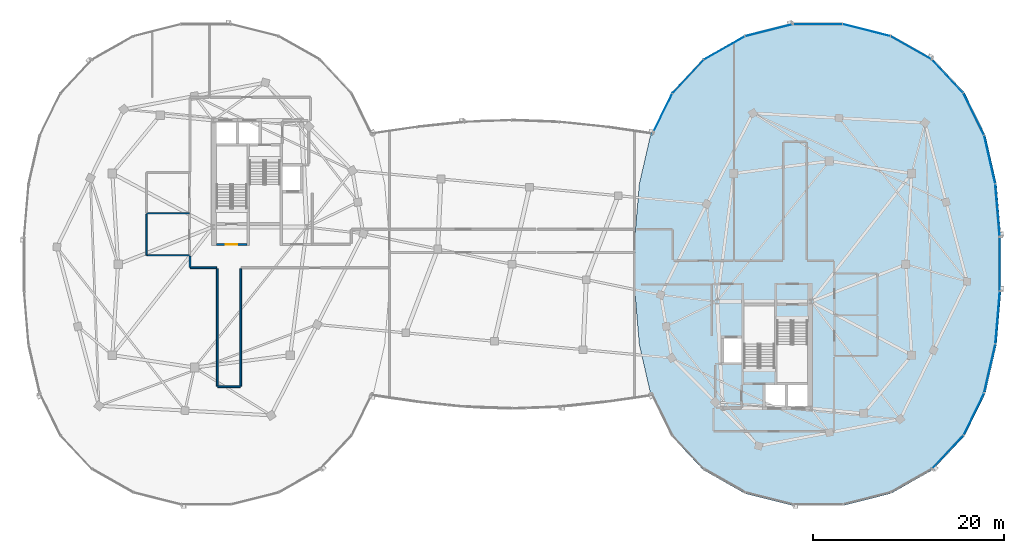
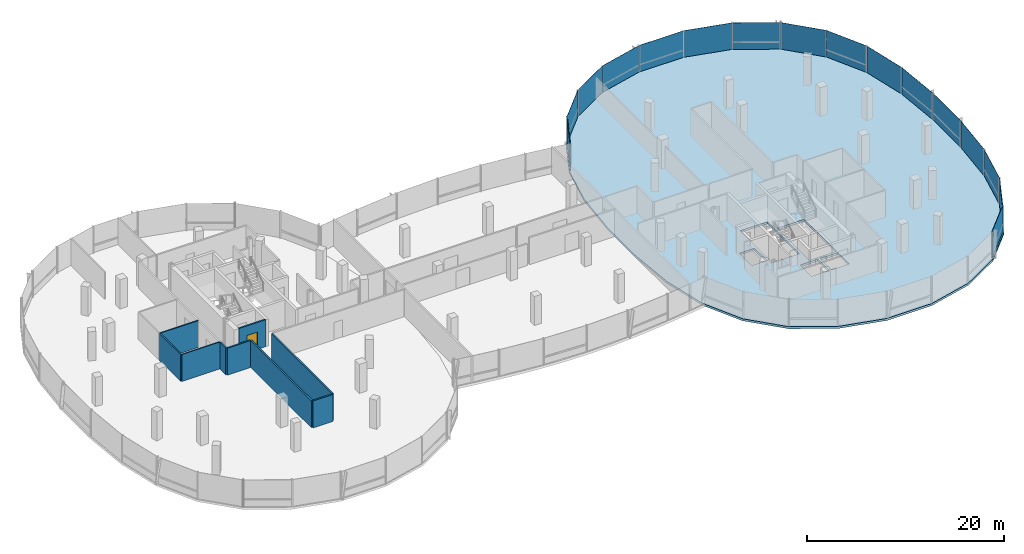
# One storey, part 13 of 24: 16 plates, 9 walls, 1 door, 1 slab, 1 opening, 3 elements without a shape of their own.
"""IFC4 building model written with IfcOpenShell, lengths in metres."""

from ifc_helpers import new_model, si_unit, direction, frame, frame_2d, origin, origin_2d, place, context, subcontext, project, spatial, polyline, rectangle, outline, extrude, material, layer, layer_set, type_object, element, fill, aggregate, save


model = new_model("IFC4")

# Units and contexts
model_context = context("Model", 3, precision=1e-05, world=origin(), true_north=direction((0.0, 1.0)))
body_context = subcontext(model_context, "Body", "Model", "MODEL_VIEW")
ifc_project = project(units=[si_unit("LENGTHUNIT", "METRE"), si_unit("AREAUNIT", "SQUARE_METRE"), si_unit("VOLUMEUNIT", "CUBIC_METRE"), si_unit("PLANEANGLEUNIT", "RADIAN"), si_unit("MASSUNIT", "GRAM", prefix="KILO"), si_unit("THERMODYNAMICTEMPERATUREUNIT", "KELVIN"), si_unit("POWERUNIT", "WATT")], contexts=[model_context])

# Site, building, storey
site_placement = place(None, origin())
site = spatial("IfcSite", under=ifc_project, at=site_placement, CompositionType="ELEMENT")
building_placement = place(site_placement, origin())
building = spatial("IfcBuilding", under=site, at=building_placement, Name="Cundina Bronze Exchange", CompositionType="ELEMENT")
storey_placement = place(building_placement, frame((0.0, 0.0, 268.39990234375)))
storey = spatial("IfcBuildingStorey", under=building, at=storey_placement, Name="L71", CompositionType="ELEMENT", Elevation=268.39990234375)

# Curtain wall, plates
ifc_material_1 = material(Name="Anodised Bronze Aluminium 6063-T6", Category="aluminium")
curtain_wall_type = type_object("IfcCurtainWallType", Name="CWS-SKG-BRG", PredefinedType="NOTDEFINED", material=ifc_material_1)
curtain_wall_1_placement = place(storey_placement, origin())
curtain_wall_1 = element("IfcCurtainWall", 1, at=curtain_wall_1_placement, inside=storey, type_object=curtain_wall_type, Name="L71 CW-06 Curtain Wall Run CWR-L71-E1", PredefinedType="NOTDEFINED")
ifc_material_2 = material(Name="Heat-Strengthened Solar-Control Bronze Safety Glass 28mm", Category="glass")
ifc_layer_1 = layer(ifc_material_2, 0.028076171875, Name="Heat-Strengthened Solar-Control Bronze Safety Glass 28mm", Category="glass")
ifc_layer_set_1 = layer_set([ifc_layer_1], Name="Heat-Strengthened Solar-Control Bronze Safety Glass 28mm")
plate_type_1 = type_object("IfcPlateType", Name="PLT-GLZ-VIS28", PredefinedType="CURTAIN_PANEL", material=ifc_layer_set_1)
plate_1_placement = place(storey_placement, frame((50.78662109375, 5.605712890625, 0.02001953125), z_axis=(0.0, 0.0, 1.0), x_axis=(-0.083747411454, 0.996487015006, 0.0)))
plate_1 = element("IfcPlate", 2, at=plate_1_placement, type_object=plate_type_1, Name="CW-06 Glazed Panel 1", PredefinedType="CURTAIN_PANEL", context=body_context, shape_type="SweptSolid", body=[
    extrude(rectangle(XDim=5.474609375, YDim=0.028076171875, at=origin_2d()), origin(), (0.0, 0.0, 1.0), 3.300048828125),
])
plate_2_placement = place(storey_placement, frame((49.96923828125, 10.922607421875, 0.02001953125), z_axis=(0.0, 0.0, 1.0), x_axis=(-0.223284141459, 0.974753400698, 0.0)))
plate_2 = element("IfcPlate", 3, at=plate_2_placement, type_object=plate_type_1, Name="CW-06 Glazed Panel 2", PredefinedType="CURTAIN_PANEL", context=body_context, shape_type="SweptSolid", body=[
    extrude(rectangle(XDim=5.167724609375, YDim=0.028076171875, at=origin_2d()), origin(), (0.0, 0.0, 1.0), 3.300048828125),
])
plate_3_placement = place(storey_placement, frame((48.30126953125, 15.68017578125, 0.02001953125), z_axis=(0.0, 0.0, 1.0), x_axis=(-0.440503330345, 0.897750976582, 0.0)))
plate_3 = element("IfcPlate", 4, at=plate_3_placement, type_object=plate_type_1, Name="CW-06 Glazed Panel 3", PredefinedType="CURTAIN_PANEL", context=body_context, shape_type="SweptSolid", body=[
    extrude(rectangle(XDim=4.863525390625, YDim=0.028076171875, at=origin_2d()), origin(), (0.0, 0.0, 1.0), 3.300048828125),
])
plate_4_placement = place(storey_placement, frame((41.76171875, 22.6279296875, 0.02001953125), z_axis=(0.0, 0.0, 1.0), x_axis=(-0.869572506985, 0.493805280547, 0.0)))
plate_4 = element("IfcPlate", 5, at=plate_4_placement, type_object=plate_type_1, Name="CW-06 Glazed Panel 5", PredefinedType="CURTAIN_PANEL", context=body_context, shape_type="SweptSolid", body=[
    extrude(rectangle(XDim=4.907958984375, YDim=0.028076171875, at=origin_2d()), origin(), (0.0, 0.0, 1.0), 3.300048828125),
])
plate_5_placement = place(storey_placement, frame((37.109375, 24.4814453125, 0.02001953125), z_axis=(0.0, 0.0, 1.0), x_axis=(-0.969731542251, 0.244173577528, 0.0)))
plate_5 = element("IfcPlate", 6, at=plate_5_placement, type_object=plate_type_1, Name="CW-06 Glazed Panel 6", PredefinedType="CURTAIN_PANEL", context=body_context, shape_type="SweptSolid", body=[
    extrude(rectangle(XDim=5.0908203125, YDim=0.028076171875, at=origin_2d()), origin(), (0.0, 0.0, 1.0), 3.300048828125),
])
plate_6_placement = place(storey_placement, frame((32.0, 25.110107421875, 0.02001953125), z_axis=(0.0, 0.0, 1.0), x_axis=(-1.0, 0.0, 0.0)))
plate_6 = element("IfcPlate", 7, at=plate_6_placement, type_object=plate_type_1, Name="CW-06 Glazed Panel 7", PredefinedType="CURTAIN_PANEL", context=body_context, shape_type="SweptSolid", body=[
    extrude(rectangle(XDim=5.16796875, YDim=0.028076171875, at=origin_2d()), origin(), (0.0, 0.0, 1.0), 3.300048828125),
])

curtain_wall_2_placement = place(storey_placement, origin())
curtain_wall_2 = element("IfcCurtainWall", 8, at=curtain_wall_2_placement, inside=storey, type_object=curtain_wall_type, Name="L71 CW-06 Curtain Wall Run CWR-L71-E2", PredefinedType="NOTDEFINED")
plate_7_placement = place(storey_placement, frame((26.890625, 24.4814453125, 0.02001953125), z_axis=(0.0, 0.0, 1.0), x_axis=(-0.969731542251, -0.244173577528, 0.0)))
plate_7 = element("IfcPlate", 9, at=plate_7_placement, type_object=plate_type_1, Name="CW-06 Glazed Panel 1", PredefinedType="CURTAIN_PANEL", context=body_context, shape_type="SweptSolid", body=[
    extrude(rectangle(XDim=5.0908203125, YDim=0.028076171875, at=origin_2d()), origin(), (0.0, 0.0, 1.0), 3.300048828125),
])
plate_8_placement = place(storey_placement, frame((22.23828125, 22.6279296875, 0.02001953125), z_axis=(0.0, 0.0, 1.0), x_axis=(-0.869572506985, -0.493805280547, 0.0)))
plate_8 = element("IfcPlate", 10, at=plate_8_placement, type_object=plate_type_1, Name="CW-06 Glazed Panel 2", PredefinedType="CURTAIN_PANEL", context=body_context, shape_type="SweptSolid", body=[
    extrude(rectangle(XDim=4.907958984375, YDim=0.028076171875, at=origin_2d()), origin(), (0.0, 0.0, 1.0), 3.300048828125),
])
plate_9_placement = place(storey_placement, frame((15.69873046875, 15.68017578125, 0.02001953125), z_axis=(0.0, 0.0, 1.0), x_axis=(-0.440503330345, -0.897750976582, 0.0)))
plate_9 = element("IfcPlate", 11, at=plate_9_placement, type_object=plate_type_1, Name="CW-06 Glazed Panel 4", PredefinedType="CURTAIN_PANEL", context=body_context, shape_type="SweptSolid", body=[
    extrude(rectangle(XDim=4.863525390625, YDim=0.028076171875, at=origin_2d()), origin(), (0.0, 0.0, 1.0), 3.300048828125),
])

curtain_wall_3_placement = place(storey_placement, origin())
curtain_wall_3 = element("IfcCurtainWall", 12, at=curtain_wall_3_placement, inside=storey, type_object=curtain_wall_type, Name="L71 CW-06 Curtain Wall Run CWR-L71-E4", PredefinedType="NOTDEFINED")
plate_10_placement = place(storey_placement, frame((48.30126953125, -15.68017578125, 0.02001953125), z_axis=(0.0, 0.0, 1.0), x_axis=(0.440503330345, 0.897750976582, 0.0)))
plate_10 = element("IfcPlate", 13, at=plate_10_placement, type_object=plate_type_1, Name="CW-06 Glazed Panel 2", PredefinedType="CURTAIN_PANEL", context=body_context, shape_type="SweptSolid", body=[
    extrude(rectangle(XDim=4.863525390625, YDim=0.028076171875, at=origin_2d()), origin(), (0.0, 0.0, 1.0), 3.300048828125),
])
plate_11_placement = place(storey_placement, frame((49.96923828125, -10.922607421875, 0.02001953125), z_axis=(0.0, 0.0, 1.0), x_axis=(0.223284141459, 0.974753400698, 0.0)))
plate_11 = element("IfcPlate", 14, at=plate_11_placement, type_object=plate_type_1, Name="CW-06 Glazed Panel 3", PredefinedType="CURTAIN_PANEL", context=body_context, shape_type="SweptSolid", body=[
    extrude(rectangle(XDim=5.167724609375, YDim=0.028076171875, at=origin_2d()), origin(), (0.0, 0.0, 1.0), 3.300048828125),
])
plate_12_placement = place(storey_placement, frame((50.78662109375, -5.605712890625, 0.02001953125), z_axis=(0.0, 0.0, 1.0), x_axis=(0.083747411454, 0.996487015006, 0.0)))
plate_12 = element("IfcPlate", 15, at=plate_12_placement, type_object=plate_type_1, Name="CW-06 Glazed Panel 4", PredefinedType="CURTAIN_PANEL", context=body_context, shape_type="SweptSolid", body=[
    extrude(rectangle(XDim=5.474609375, YDim=0.028076171875, at=origin_2d()), origin(), (0.0, 0.0, 1.0), 3.300048828125),
])
plate_13_placement = place(storey_placement, frame((51.01904296875, 0.0, 0.02001953125), z_axis=(0.0, 0.0, 1.0), x_axis=(0.0, 1.0, 0.0)))
plate_13 = element("IfcPlate", 16, at=plate_13_placement, type_object=plate_type_1, Name="CW-06 Glazed Panel 5", PredefinedType="CURTAIN_PANEL", context=body_context, shape_type="SweptSolid", body=[
    extrude(rectangle(XDim=5.597900390625, YDim=0.028076171875, at=origin_2d()), origin(), (0.0, 0.0, 1.0), 3.300048828125),
])

# Plate
ifc_material_3 = material(Name="Dark Bronze Spandrel Glass Panel 32mm", Category="glass")
ifc_layer_2 = layer(ifc_material_3, 0.031982421875, Name="Dark Bronze Spandrel Glass Panel 32mm", Category="glass")
ifc_layer_set_2 = layer_set([ifc_layer_2], Name="Dark Bronze Spandrel Glass Panel 32mm")
plate_type_2 = type_object("IfcPlateType", Name="PLT-SPN-BRZ32", PredefinedType="CURTAIN_PANEL", material=ifc_layer_set_2)
plate_14_placement = place(storey_placement, frame((45.568115234375, 19.64501953125, 0.02001953125), z_axis=(0.0, 0.0, 1.0), x_axis=(-0.684343512797, 0.72915976061, 0.0)))
plate_14 = element("IfcPlate", 17, at=plate_14_placement, type_object=plate_type_2, Name="CW-06 Glazed Panel 4", PredefinedType="CURTAIN_PANEL", context=body_context, shape_type="SweptSolid", body=[
    extrude(rectangle(XDim=4.773193359375, YDim=0.031982421875, at=origin_2d()), origin(), (0.0, 0.0, 1.0), 3.300048828125),
])

aggregate(curtain_wall_1, [plate_1, plate_2, plate_3, plate_14, plate_4, plate_5, plate_6])

plate_15_placement = place(storey_placement, frame((18.431884765625, 19.64501953125, 0.02001953125), z_axis=(0.0, 0.0, 1.0), x_axis=(-0.684343512797, -0.72915976061, 0.0)))
plate_15 = element("IfcPlate", 18, at=plate_15_placement, type_object=plate_type_2, Name="CW-06 Glazed Panel 3", PredefinedType="CURTAIN_PANEL", context=body_context, shape_type="SweptSolid", body=[
    extrude(rectangle(XDim=4.773193359375, YDim=0.031982421875, at=origin_2d()), origin(), (0.0, 0.0, 1.0), 3.300048828125),
])

aggregate(curtain_wall_2, [plate_7, plate_8, plate_15, plate_9])

plate_16_placement = place(storey_placement, frame((45.568115234375, -19.64501953125, 0.02001953125), z_axis=(0.0, 0.0, 1.0), x_axis=(0.684343512797, 0.72915976061, 0.0)))
plate_16 = element("IfcPlate", 19, at=plate_16_placement, type_object=plate_type_2, Name="CW-06 Glazed Panel 1", PredefinedType="CURTAIN_PANEL", context=body_context, shape_type="SweptSolid", body=[
    extrude(rectangle(XDim=4.773193359375, YDim=0.031982421875, at=origin_2d()), origin(), (0.0, 0.0, 1.0), 3.300048828125),
])

aggregate(curtain_wall_3, [plate_16, plate_10, plate_11, plate_12, plate_13])

# Slab
ifc_material_4 = material(Name="Concrete C50/60", Category="concrete")
ifc_layer_3 = layer(ifc_material_4, 0.260009765625, Name="Concrete C50/60", Category="concrete")
ifc_layer_set_3 = layer_set([ifc_layer_3], Name="Concrete C50/60")
slab_type = type_object("IfcSlabType", Name="SLB-OFF-260", PredefinedType="FLOOR", material=ifc_layer_set_3)
slab_placement = place(storey_placement, frame((0.0, 0.0, -0.260009765625)))
element("IfcSlab", 20, at=slab_placement, inside=storey, type_object=slab_type, Name="L71 Leg E Structural Floor Slab", PredefinedType="FLOOR", context=body_context, shape_type="SweptSolid", body=[
    extrude(outline(polyline([(51.14892578125, 2.843994140625), (50.68310546875, 8.388916015625), (49.509033203125, 13.513916015625), (47.326904296875, 17.9609375), (43.9990234375, 21.507080078125), (39.653076171875, 23.97509765625), (34.62890625, 25.239990234375), (29.37109375, 25.239990234375), (24.346923828125, 23.97509765625), (20.0009765625, 21.507080078125), (16.673095703125, 17.9609375), (14.490966796875, 13.513916015625), (13.31689453125, 8.388916015625), (12.85107421875, 2.843994140625), (12.85107421875, -2.843994140625), (13.31689453125, -8.388916015625), (14.490966796875, -13.513916015625), (16.673095703125, -17.9609375), (20.0009765625, -21.507080078125), (24.346923828125, -23.97509765625), (29.37109375, -25.239990234375), (34.62890625, -25.239990234375), (39.653076171875, -23.97509765625), (43.9990234375, -21.507080078125), (47.326904296875, -17.9609375), (49.509033203125, -13.513916015625), (50.68310546875, -8.388916015625), (51.14892578125, -2.843994140625), (51.14892578125, 2.843994140625)]), holes=[polyline([(27.739990234375, -5.85009765625), (27.739990234375, -12.35009765625), (30.89990234375, -12.35009765625), (30.89990234375, -5.85009765625), (27.739990234375, -5.85009765625)]), polyline([(27.43994140625, -10.85009765625), (27.43994140625, -4.35009765625), (24.280029296875, -4.35009765625), (24.280029296875, -10.85009765625), (27.43994140625, -10.85009765625)]), polyline([(22.179931640625, -7.75), (23.97998046875, -7.75), (23.97998046875, -10.25), (22.179931640625, -10.25), (22.179931640625, -7.75)]), polyline([(28.85009765625, -12.64990234375), (30.89990234375, -12.64990234375), (30.89990234375, -14.949951171875), (28.85009765625, -14.949951171875), (28.85009765625, -12.64990234375)]), polyline([(26.5, -12.64990234375), (28.550048828125, -12.64990234375), (28.550048828125, -14.949951171875), (26.5, -14.949951171875), (26.5, -12.64990234375)])]), origin(), (0.0, 0.0, 1.0), 0.260009765625),
])

# Wall, opening, door
ifc_material_5 = material(Name="Gypsum Fireboard Partition EI120")
ifc_layer_4 = layer(ifc_material_5, 0.179931640625, Name="Gypsum Fireboard Partition EI120")
ifc_layer_set_4 = layer_set([ifc_layer_4], Name="Gypsum Fireboard Partition EI120")
wall_type_1 = type_object("IfcWallType", Name="WL-COR-180", PredefinedType="PARTITIONING", material=ifc_layer_set_4)
wall_1_placement = place(storey_placement, frame((-30.89990234375, 2.06005859375, 0.0), z_axis=(0.0, 0.0, 1.0), x_axis=(1.0, 0.0, 0.0)))
wall_1 = element("IfcWall", 21, at=wall_1_placement, inside=storey, type_object=wall_type_1, Name="L71 W Stair Vestibule Exit Wall", PredefinedType="PARTITIONING", context=body_context, shape_type="SweptSolid", body=[
    extrude(rectangle(XDim=3.159912109375, YDim=0.179931640625, at=frame_2d((1.580078125, 0.0))), origin(), (0.0, 0.0, 1.0), 3.340087890625),
])
opening_placement = place(wall_1_placement, frame((0.97998046875, 0.0, 0.0)))
opening = element("IfcOpeningElement", 22, at=opening_placement, cuts=wall_1, Name="Opening DF-01", PredefinedType="OPENING", context=body_context, shape_type="SweptSolid", body=[
    extrude(rectangle(XDim=1.199951171875, YDim=2.14990234375, at=frame_2d((0.60009765625, 1.074951171875))), frame((0.0, 0.099853515625, 0.0), z_axis=(0.0, -1.0, 0.0), x_axis=(1.0, 0.0, 0.0)), (0.0, 0.0, 1.0), 0.199951171875),
])
ifc_material_6 = material(Name="Steel ASTM A36 Painted", Category="steel")
door_type = type_object("IfcDoorType", Name="DR-FFL-1200", OperationType="NOTDEFINED", PredefinedType="DOOR", material=ifc_material_6)
door_placement = place(opening_placement, origin())
door = element("IfcDoor", 23, at=door_placement, inside=storey, type_object=door_type, Name="L71 W Stair Vestibule Door", OperationType="SINGLE_SWING_LEFT", OverallHeight=2.14990234375, OverallWidth=1.199951171875, PredefinedType="DOOR", context=body_context, shape_type="SweptSolid", body=[
    extrude(rectangle(XDim=1.199951171875, YDim=2.14990234375, at=frame_2d((0.60009765625, 1.074951171875))), frame((0.0, 0.02490234375, 0.0), z_axis=(0.0, -1.0, 0.0), x_axis=(1.0, 0.0, 0.0)), (0.0, 0.0, 1.0), 0.050048828125),
])
fill(opening, door)

# Walls
for number, where, z_axis, x_axis, name in (
    (24, (-30.820068359375, -0.449951171875, 0.0), (0.0, 0.0, 1.0), (0.0, -1.0, 0.0), "L71 Interior Partition 015"),
    (25, (-28.3798828125, -12.778564453125, 0.0), (0.0, 0.0, 1.0), (0.0, 1.0, 0.0), "L71 Interior Partition 016"),
):
    element("IfcWall", number, at=place(storey_placement, frame(where, z_axis=z_axis, x_axis=x_axis)), inside=storey, type_object=wall_type_1, Name=name, PredefinedType="PARTITIONING", context=body_context, shape_type="SweptSolid", body=[
        extrude(rectangle(XDim=12.32861328125, YDim=0.179931640625, at=frame_2d((6.164306640625, 0.0))), origin(), (0.0, 0.0, 1.0), 3.340087890625),
    ])
wall_2_placement = place(storey_placement, frame((-33.62841796875, -0.3701171875, 0.0), z_axis=(0.0, 0.0, 1.0), x_axis=(1.0, 0.0, 0.0)))
element("IfcWall", 26, at=wall_2_placement, inside=storey, type_object=wall_type_1, Name="L71 Interior Partition 018", PredefinedType="PARTITIONING", context=body_context, shape_type="SweptSolid", body=[
    extrude(rectangle(XDim=2.728515625, YDim=0.179931640625, at=frame_2d((1.3642578125, 0.0))), origin(), (0.0, 0.0, 1.0), 3.340087890625),
])
wall_3_placement = place(storey_placement, frame((-30.778564453125, -12.820068359375, 0.0), z_axis=(0.0, 0.0, 1.0), x_axis=(1.0, 0.0, 0.0)))
element("IfcWall", 27, at=wall_3_placement, inside=storey, type_object=wall_type_1, Name="L71 Interior Partition 019", PredefinedType="PARTITIONING", context=body_context, shape_type="SweptSolid", body=[
    extrude(rectangle(XDim=2.357177734375, YDim=0.179931640625, at=frame_2d((1.1787109375, 0.0))), origin(), (0.0, 0.0, 1.0), 3.340087890625),
])
wall_4_placement = place(storey_placement, frame((-33.669921875, 0.858642578125, 0.0), z_axis=(0.0, 0.0, 1.0), x_axis=(0.0, -1.0, 0.0)))
element("IfcWall", 28, at=wall_4_placement, inside=storey, type_object=wall_type_1, Name="L71 Interior Partition 021", PredefinedType="PARTITIONING", context=body_context, shape_type="SweptSolid", body=[
    extrude(rectangle(XDim=1.187255859375, YDim=0.179931640625, at=frame_2d((0.59375, 0.0))), origin(), (0.0, 0.0, 1.0), 3.340087890625),
])
ifc_material_7 = material(Name="Moisture-Resistant Masonry Block Grade M15", Category="masonry")
ifc_layer_5 = layer(ifc_material_7, 0.139892578125, Name="Moisture-Resistant Masonry Block Grade M15", Category="masonry")
ifc_layer_set_5 = layer_set([ifc_layer_5], Name="Moisture-Resistant Masonry Block Grade M15")
wall_type_2 = type_object("IfcWallType", Name="WL-WET-140", PredefinedType="PARTITIONING", material=ifc_layer_set_5)
wall_5_placement = place(storey_placement, frame((-38.239990234375, 0.969970703125, 0.0), z_axis=(0.0, 0.0, 1.0), x_axis=(0.0, 1.0, 0.0)))
element("IfcWall", 29, at=wall_5_placement, inside=storey, type_object=wall_type_2, Name="L71 Interior Partition 005", PredefinedType="PARTITIONING", context=body_context, shape_type="SweptSolid", body=[
    extrude(rectangle(XDim=4.275146484375, YDim=0.139892578125, at=frame_2d((2.1376953125, 0.0))), origin(), (0.0, 0.0, 1.0), 3.340087890625),
])
for number, where, z_axis, x_axis, name in (
    (30, (-38.219970703125, 0.949951171875, 0.0), (0.0, 0.0, 1.0), (1.0, 0.0, 0.0), "L71 Interior Partition 007"),
    (31, (-38.219970703125, 5.330078125, 0.0), (0.0, 0.0, 1.0), (1.0, 0.0, 0.0), "L71 Interior Partition 008"),
):
    element("IfcWall", number, at=place(storey_placement, frame(where, z_axis=z_axis, x_axis=x_axis)), inside=storey, type_object=wall_type_2, Name=name, PredefinedType="PARTITIONING", context=body_context, shape_type="SweptSolid", body=[
        extrude(rectangle(XDim=4.47998046875, YDim=0.139892578125, at=frame_2d((2.239990234375, 0.0))), origin(), (0.0, 0.0, 1.0), 3.340087890625),
    ])

save(model, "model.ifc")
